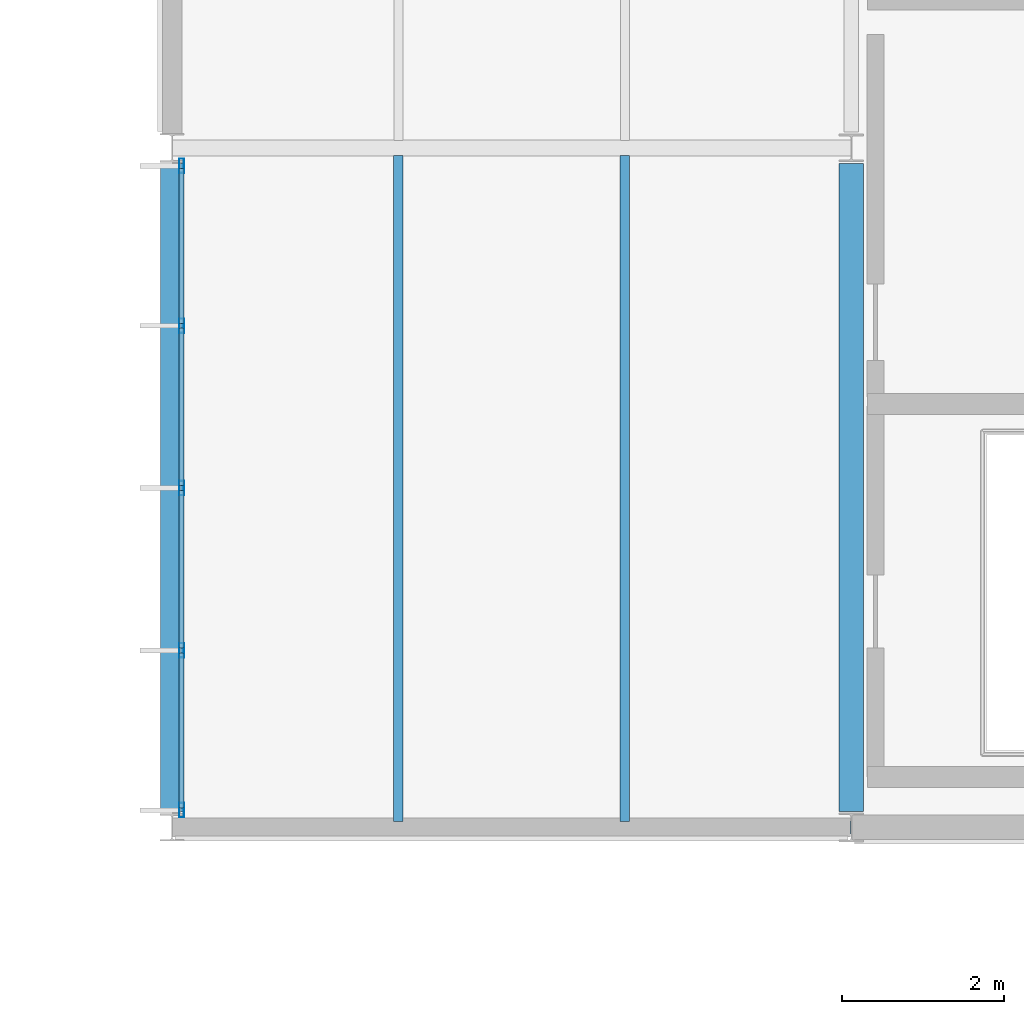
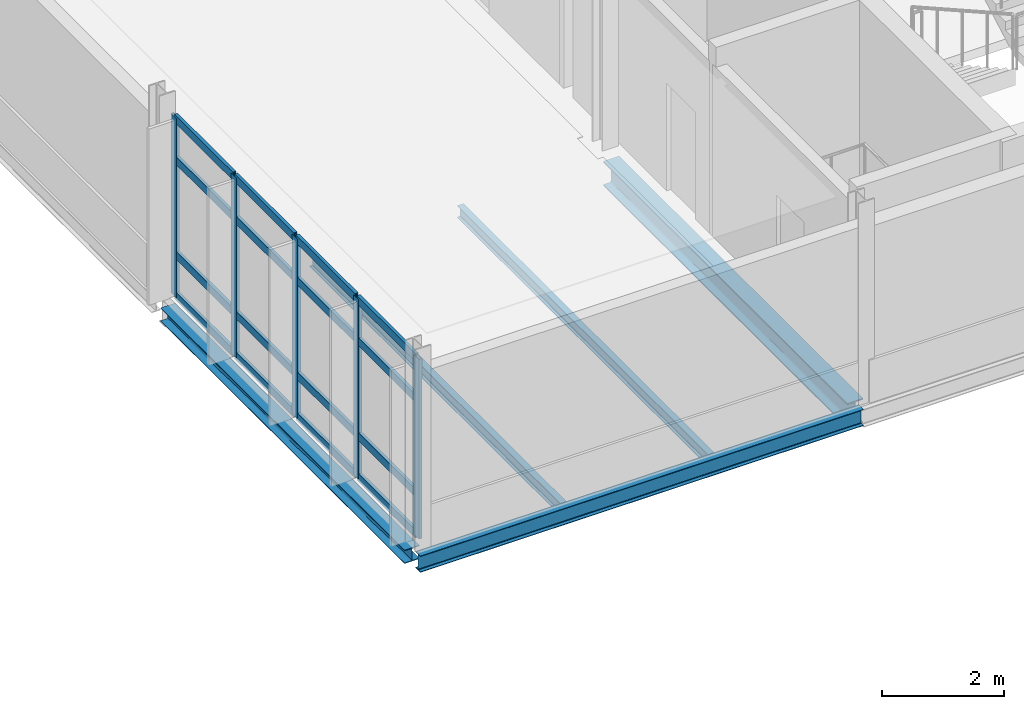
# One storey, part 60 of 103: 21 members, 5 beams, 1 element without a shape of its own.
"""IFC4 building model written with IfcOpenShell, lengths in metres."""

import ifcopenshell
import ifcopenshell.guid

model = None  # the IFC model being written
_history = None  # IfcOwnerHistory: only IFC2X3 demands one
_inside = {}  # id of a spatial element -> (the spatial element, [elements in it])
_under = {}  # id of a project, library or spatial element -> (it, [spatial elements below it])
_declared = {}  # id of a project -> (the project, [libraries it declares])
_typed = {}  # id of a type object -> (the type object, [elements of that type])
_made_of = {}  # id of a material, layer set ... -> (it, [elements and type objects made of it])


def new_model(schema):
    """Start an empty IFC model of exactly this schema.

    Asked for "IFC4X3", IfcOpenShell would pick the latest addendum, in which some entities
    have other attributes; the version numbers below select the first issue.
    IFC2X3 requires an IfcOwnerHistory on every rooted entity: one is made here for all.
    """
    global model, _history
    if schema == "IFC4X3":
        model = ifcopenshell.file(schema_version=(4, 3, 0, 0))
    else:
        model = ifcopenshell.file(schema=schema)
    _inside.clear()
    _under.clear()
    _declared.clear()
    _typed.clear()
    _made_of.clear()
    _history = None
    if model.schema == "IFC2X3":
        org = make("IfcOrganization", Name="unknown")
        user = make(
            "IfcPersonAndOrganization",
            ThePerson=make("IfcPerson", FamilyName="unknown"),
            TheOrganization=org,
        )
        app = make(
            "IfcApplication",
            ApplicationDeveloper=org,
            Version="unknown",
            ApplicationFullName="unknown",
            ApplicationIdentifier="unknown",
        )
        _history = make(
            "IfcOwnerHistory",
            OwningUser=user,
            OwningApplication=app,
            ChangeAction="ADDED",
            CreationDate=0,
        )
    return model


def make(cls, **values):
    """One entity of the class cls with the attributes given. An attribute that is None is left unset."""
    return model.create_entity(
        cls, **{name: value for name, value in values.items() if value is not None}
    )


def rooted(cls, **values):
    """An entity with a GlobalId (a new one), such as an element, a storey or a relation."""
    return make(cls, GlobalId=ifcopenshell.guid.new(), OwnerHistory=_history, **values)


def si_unit(unit_type, name, prefix=None):
    """IfcSIUnit, for example si_unit("LENGTHUNIT", "METRE", prefix="MILLI")."""
    return make("IfcSIUnit", UnitType=unit_type, Prefix=prefix, Name=name)


def assignment(units):
    """IfcUnitAssignment: the units of a project."""
    return None if units is None else make("IfcUnitAssignment", Units=units)


def point(xyz):
    """IfcCartesianPoint."""
    return None if xyz is None else make("IfcCartesianPoint", Coordinates=xyz)


def direction(xyz):
    """IfcDirection."""
    return None if xyz is None else make("IfcDirection", DirectionRatios=xyz)


def frame(location, z_axis=None, x_axis=None):
    """IfcAxis2Placement3D, a coordinate frame: its origin and axes. An axis left out is left unset."""
    return make(
        "IfcAxis2Placement3D",
        Location=point(location),
        Axis=direction(z_axis),
        RefDirection=direction(x_axis),
    )


def frame_2d(location, x_axis=None):
    """IfcAxis2Placement2D, a coordinate frame in the plane: its origin and x axis."""
    return make(
        "IfcAxis2Placement2D", Location=point(location), RefDirection=direction(x_axis)
    )


def origin():
    """The frame at (0, 0, 0) with its axes left unset."""
    return frame((0.0, 0.0, 0.0))


def origin_2d():
    """The frame at (0, 0) in the plane with its x axis left unset."""
    return frame_2d((0.0, 0.0))


def place(relative_to, where):
    """IfcLocalPlacement: puts the frame where relative to a parent placement (None: the world)."""
    return make(
        "IfcLocalPlacement", PlacementRelTo=relative_to, RelativePlacement=where
    )


def context(
    kind, dimensions, precision=None, world=None, true_north=None, identifier=None
):
    """IfcGeometricRepresentationContext, for example the 3D "Model" context."""
    return make(
        "IfcGeometricRepresentationContext",
        ContextIdentifier=identifier,
        ContextType=kind,
        CoordinateSpaceDimension=dimensions,
        Precision=precision,
        WorldCoordinateSystem=world,
        TrueNorth=true_north,
    )


def subcontext(parent, identifier, kind, view, scale=None):
    """IfcGeometricRepresentationSubContext, for example "Body" below "Model"."""
    return make(
        "IfcGeometricRepresentationSubContext",
        ContextIdentifier=identifier,
        ContextType=kind,
        ParentContext=parent,
        TargetScale=scale,
        TargetView=view,
    )


def project(units=None, contexts=None):
    """IfcProject with its units and contexts."""
    return rooted(
        "IfcProject",
        Name="project",
        RepresentationContexts=contexts,
        UnitsInContext=assignment(units),
    )


def spatial(cls, under=None, at=None, **own):
    """A site, building, storey or space (cls), placed at a placement, below another one or the project."""
    s = rooted(cls, ObjectPlacement=at, **own)
    if under is not None:
        _under.setdefault(under.id(), (under, []))[1].append(s)
    return s


def profile(cls, at=None, kind="AREA", **sizes):
    """A parametric profile (cls). Its sizes go by their IFC names, for example OverallWidth=200.0."""
    return make(cls, ProfileType=kind, Position=at, **sizes)


def hollow_rectangle(**sizes):
    """IfcRectangleHollowProfileDef."""
    return profile("IfcRectangleHollowProfileDef", **sizes)


def i_section(**sizes):
    """IfcIShapeProfileDef."""
    return profile("IfcIShapeProfileDef", **sizes)


def extrude(swept, where, along, depth):
    """IfcExtrudedAreaSolid: the profile swept, set in the frame where, extruded along a direction by depth."""
    return make(
        "IfcExtrudedAreaSolid",
        SweptArea=swept,
        Position=where,
        ExtrudedDirection=direction(along),
        Depth=depth,
    )


def shape(context_of_items, identifier, shape_type, items):
    """IfcShapeRepresentation: the items that make up one representation, for example the "Body"."""
    return make(
        "IfcShapeRepresentation",
        ContextOfItems=context_of_items,
        RepresentationIdentifier=identifier,
        RepresentationType=shape_type,
        Items=items,
    )


def material(Name=None, Category=None):
    """IfcMaterial."""
    return make("IfcMaterial", Name=Name, Category=Category)


def material_profile(
    of_material, cross_section, Name=None, Category=None, Priority=None
):
    """IfcMaterialProfile: a cross section and its material."""
    return make(
        "IfcMaterialProfile",
        Name=Name,
        Material=of_material,
        Profile=cross_section,
        Priority=Priority,
        Category=Category,
    )


def profile_set(profiles, Name=None, composite=None):
    """IfcMaterialProfileSet."""
    return make(
        "IfcMaterialProfileSet",
        Name=Name,
        MaterialProfiles=profiles,
        CompositeProfile=composite,
    )


def made_of(thing, what):
    """Note that an element or type object is made of a material, layer set ...; save() writes the relation."""
    if what is not None:
        _made_of.setdefault(what.id(), (what, []))[1].append(thing)
    return thing


def type_object(cls, material=None, **own):
    """A type object (cls), such as IfcWallType, which elements share."""
    return made_of(rooted(cls, **own), material)


def element(
    cls,
    number,
    at=None,
    inside=None,
    cuts=None,
    type_object=None,
    material=None,
    context=None,
    identifier="Body",
    shape_type=None,
    held_by="IfcProductDefinitionShape",
    body=None,
    shapes=None,
    **own,
):
    """One element of the class cls, such as IfcWall. Its Tag is "e" and its number.

    at: its placement. inside: the storey or other place that contains it. cuts: it is an
    opening in that element (IfcRelVoidsElement). A single representation is given by context,
    identifier, shape_type and body (its items); several are given by shapes. held_by: the class
    of the entity that holds the representations. save() writes the other relations.
    """
    e = rooted(cls, Tag="e%d" % number, ObjectPlacement=at, **own)
    if body is not None:
        shapes = [shape(context, identifier, shape_type, body)]
    if shapes is not None:
        e.Representation = make(held_by, Representations=shapes)
    if inside is not None:
        _inside.setdefault(inside.id(), (inside, []))[1].append(e)
    if cuts is not None:
        rooted(
            "IfcRelVoidsElement", RelatingBuildingElement=cuts, RelatedOpeningElement=e
        )
    if type_object is not None:
        _typed.setdefault(type_object.id(), (type_object, []))[1].append(e)
    return made_of(e, material)


def aggregate(whole, parts):
    """IfcRelAggregates: a whole, such as a stair, and the parts it consists of."""
    return rooted("IfcRelAggregates", RelatingObject=whole, RelatedObjects=parts)


def save(model, path):
    """Write the relations noted so far, then the file.

    IfcRelAggregates (storeys below a building ...), IfcRelContainedInSpatialStructure (elements
    in a storey), IfcRelDefinesByType, IfcRelAssociatesMaterial and IfcRelDeclares: one each for
    every whole, place, type object, material and project.
    """
    for whole, parts in _under.values():
        aggregate(whole, parts)
    for where, things in _inside.values():
        rooted(
            "IfcRelContainedInSpatialStructure",
            RelatedElements=things,
            RelatingStructure=where,
        )
    for kind, things in _typed.values():
        rooted("IfcRelDefinesByType", RelatedObjects=things, RelatingType=kind)
    for what, things in _made_of.values():
        rooted("IfcRelAssociatesMaterial", RelatedObjects=things, RelatingMaterial=what)
    for by, libraries in _declared.values():
        rooted("IfcRelDeclares", RelatingContext=by, RelatedDefinitions=libraries)
    model.write(path)


model = new_model("IFC4")

# Units and contexts
model_context = context("Model", 3, precision=1e-05, world=origin(), true_north=direction((0.0, 1.0)))
body_context = subcontext(model_context, "Body", "Model", "MODEL_VIEW")
ifc_project = project(units=[si_unit("LENGTHUNIT", "METRE"), si_unit("AREAUNIT", "SQUARE_METRE"), si_unit("VOLUMEUNIT", "CUBIC_METRE"), si_unit("PLANEANGLEUNIT", "RADIAN"), si_unit("MASSUNIT", "GRAM", prefix="KILO")], contexts=[model_context])

# Site, building, storey
site_placement = place(None, origin())
site = spatial("IfcSite", under=ifc_project, at=site_placement, CompositionType="ELEMENT")
building_placement = place(site_placement, origin())
building = spatial("IfcBuilding", under=site, at=building_placement, Name="Mersafa Astral City Hall", CompositionType="ELEMENT")
storey_placement = place(building_placement, frame((0.0, 0.0, 18.0)))
storey = spatial("IfcBuildingStorey", under=building, at=storey_placement, Name="L04", CompositionType="ELEMENT", Elevation=18.0)

# Curtain wall, members
ifc_material_1 = material(Name="Anodised bronze aluminium framing", Category="aluminium")
curtain_wall_type = type_object("IfcCurtainWallType", Name="ENV-CW-5", PredefinedType="USERDEFINED", material=ifc_material_1)
curtain_wall_placement = place(storey_placement, origin())
curtain_wall = element("IfcCurtainWall", 1, at=curtain_wall_placement, inside=storey, type_object=curtain_wall_type, Name="L04 Unitised solar curtain wall 190", ObjectType="UNITISED CURTAIN WALL", PredefinedType="USERDEFINED")
ifc_material_profile_1 = material_profile(ifc_material_1, hollow_rectangle(XDim=0.06005859375, YDim=0.179931640625, WallThickness=0.00390625, at=origin_2d()), Name="RHS 60x180x4")
ifc_profile_set_1 = profile_set([ifc_material_profile_1], Name="Anodised bronze aluminium framing")
member_type_1 = type_object("IfcMemberType", Name="ENV-CW-MUL-1", PredefinedType="MULLION", material=ifc_profile_set_1)
member_1_placement = place(storey_placement, frame((159.719970703125, 58.577880859375, -0.001953125), z_axis=(0.0, 0.0, 1.0), x_axis=(1.0, 0.0, 0.0)))
member_1 = element("IfcMember", 2, at=member_1_placement, type_object=member_type_1, Name="CW-5 mullion 1", PredefinedType="MULLION", context=body_context, shape_type="SweptSolid", body=[
    extrude(hollow_rectangle(XDim=0.06005859375, YDim=0.179931640625, WallThickness=0.00390625, at=origin_2d()), origin(), (0.0, 0.0, 1.0), 3.598876953125),
])
member_2_placement = place(storey_placement, frame((159.719970703125, 56.6015625, -0.001953125), z_axis=(0.0, 0.0, 1.0), x_axis=(1.0, 0.0, 0.0)))
member_2 = element("IfcMember", 3, at=member_2_placement, type_object=member_type_1, Name="CW-5 mullion 2", PredefinedType="MULLION", context=body_context, shape_type="SweptSolid", body=[
    extrude(hollow_rectangle(XDim=0.06005859375, YDim=0.179931640625, WallThickness=0.00390625, at=origin_2d()), origin(), (0.0, 0.0, 1.0), 3.598876953125),
])
member_3_placement = place(storey_placement, frame((159.719970703125, 54.594970703125, -0.001953125), z_axis=(0.0, 0.0, 1.0), x_axis=(1.0, 0.0, 0.0)))
member_3 = element("IfcMember", 4, at=member_3_placement, type_object=member_type_1, Name="CW-5 mullion 3", PredefinedType="MULLION", context=body_context, shape_type="SweptSolid", body=[
    extrude(hollow_rectangle(XDim=0.06005859375, YDim=0.179931640625, WallThickness=0.00390625, at=origin_2d()), origin(), (0.0, 0.0, 1.0), 3.598876953125),
])
member_4_placement = place(storey_placement, frame((159.719970703125, 52.58837890625, -0.001953125), z_axis=(0.0, 0.0, 1.0), x_axis=(1.0, 0.0, 0.0)))
member_4 = element("IfcMember", 5, at=member_4_placement, type_object=member_type_1, Name="CW-5 mullion 4", PredefinedType="MULLION", context=body_context, shape_type="SweptSolid", body=[
    extrude(hollow_rectangle(XDim=0.06005859375, YDim=0.179931640625, WallThickness=0.00390625, at=origin_2d()), origin(), (0.0, 0.0, 1.0), 3.598876953125),
])
member_5_placement = place(storey_placement, frame((159.719970703125, 50.612060546875, -0.001953125), z_axis=(0.0, 0.0, 1.0), x_axis=(1.0, 0.0, 0.0)))
member_5 = element("IfcMember", 6, at=member_5_placement, type_object=member_type_1, Name="CW-5 mullion 5", PredefinedType="MULLION", context=body_context, shape_type="SweptSolid", body=[
    extrude(hollow_rectangle(XDim=0.06005859375, YDim=0.179931640625, WallThickness=0.00390625, at=origin_2d()), origin(), (0.0, 0.0, 1.0), 3.598876953125),
])
ifc_material_profile_2 = material_profile(ifc_material_1, hollow_rectangle(XDim=0.06005859375, YDim=0.159912109375, WallThickness=0.00390625, at=origin_2d()), Name="RHS 60x160x4")
ifc_profile_set_2 = profile_set([ifc_material_profile_2], Name="Anodised bronze aluminium framing")
member_type_2 = type_object("IfcMemberType", Name="ENV-CW-TRN-2", PredefinedType="USERDEFINED", material=ifc_profile_set_2)
member_6_placement = place(storey_placement, frame((159.719970703125, 58.548095703125, 0.028076171875), z_axis=(0.0, -1.0, 0.0), x_axis=(1.0, 0.0, 0.0)))
member_6 = element("IfcMember", 7, at=member_6_placement, type_object=member_type_2, Name="CW-5 transom 1.1", ObjectType="TRANSOM", PredefinedType="USERDEFINED", context=body_context, shape_type="SweptSolid", body=[
    extrude(hollow_rectangle(XDim=0.06005859375, YDim=0.159912109375, WallThickness=0.00390625, at=origin_2d()), origin(), (0.0, 0.0, 1.0), 1.91650390625),
])
member_7_placement = place(storey_placement, frame((159.719970703125, 58.548095703125, 0.85009765625), z_axis=(0.0, -1.0, 0.0), x_axis=(1.0, 0.0, 0.0)))
member_7 = element("IfcMember", 8, at=member_7_placement, type_object=member_type_2, Name="CW-5 transom 1.2", ObjectType="TRANSOM", PredefinedType="USERDEFINED", context=body_context, shape_type="SweptSolid", body=[
    extrude(hollow_rectangle(XDim=0.06005859375, YDim=0.159912109375, WallThickness=0.00390625, at=origin_2d()), origin(), (0.0, 0.0, 1.0), 1.91650390625),
])
member_8_placement = place(storey_placement, frame((159.719970703125, 58.548095703125, 2.75), z_axis=(0.0, -1.0, 0.0), x_axis=(1.0, 0.0, 0.0)))
member_8 = element("IfcMember", 9, at=member_8_placement, type_object=member_type_2, Name="CW-5 transom 1.3", ObjectType="TRANSOM", PredefinedType="USERDEFINED", context=body_context, shape_type="SweptSolid", body=[
    extrude(hollow_rectangle(XDim=0.06005859375, YDim=0.159912109375, WallThickness=0.00390625, at=origin_2d()), origin(), (0.0, 0.0, 1.0), 1.91650390625),
])
member_9_placement = place(storey_placement, frame((159.719970703125, 58.548095703125, 3.56689453125), z_axis=(0.0, -1.0, 0.0), x_axis=(1.0, 0.0, 0.0)))
member_9 = element("IfcMember", 10, at=member_9_placement, type_object=member_type_2, Name="CW-5 transom 1.4", ObjectType="TRANSOM", PredefinedType="USERDEFINED", context=body_context, shape_type="SweptSolid", body=[
    extrude(hollow_rectangle(XDim=0.06005859375, YDim=0.159912109375, WallThickness=0.00390625, at=origin_2d()), origin(), (0.0, 0.0, 1.0), 1.91650390625),
])
member_10_placement = place(storey_placement, frame((159.719970703125, 56.571533203125, 0.028076171875), z_axis=(0.0, -1.0, 0.0), x_axis=(1.0, 0.0, 0.0)))
member_10 = element("IfcMember", 11, at=member_10_placement, type_object=member_type_2, Name="CW-5 transom 2.1", ObjectType="TRANSOM", PredefinedType="USERDEFINED", context=body_context, shape_type="SweptSolid", body=[
    extrude(hollow_rectangle(XDim=0.06005859375, YDim=0.159912109375, WallThickness=0.00390625, at=origin_2d()), origin(), (0.0, 0.0, 1.0), 1.946533203125),
])
member_11_placement = place(storey_placement, frame((159.719970703125, 56.571533203125, 0.85009765625), z_axis=(0.0, -1.0, 0.0), x_axis=(1.0, 0.0, 0.0)))
member_11 = element("IfcMember", 12, at=member_11_placement, type_object=member_type_2, Name="CW-5 transom 2.2", ObjectType="TRANSOM", PredefinedType="USERDEFINED", context=body_context, shape_type="SweptSolid", body=[
    extrude(hollow_rectangle(XDim=0.06005859375, YDim=0.159912109375, WallThickness=0.00390625, at=origin_2d()), origin(), (0.0, 0.0, 1.0), 1.946533203125),
])
member_12_placement = place(storey_placement, frame((159.719970703125, 56.571533203125, 2.75), z_axis=(0.0, -1.0, 0.0), x_axis=(1.0, 0.0, 0.0)))
member_12 = element("IfcMember", 13, at=member_12_placement, type_object=member_type_2, Name="CW-5 transom 2.3", ObjectType="TRANSOM", PredefinedType="USERDEFINED", context=body_context, shape_type="SweptSolid", body=[
    extrude(hollow_rectangle(XDim=0.06005859375, YDim=0.159912109375, WallThickness=0.00390625, at=origin_2d()), origin(), (0.0, 0.0, 1.0), 1.946533203125),
])
member_13_placement = place(storey_placement, frame((159.719970703125, 56.571533203125, 3.56689453125), z_axis=(0.0, -1.0, 0.0), x_axis=(1.0, 0.0, 0.0)))
member_13 = element("IfcMember", 14, at=member_13_placement, type_object=member_type_2, Name="CW-5 transom 2.4", ObjectType="TRANSOM", PredefinedType="USERDEFINED", context=body_context, shape_type="SweptSolid", body=[
    extrude(hollow_rectangle(XDim=0.06005859375, YDim=0.159912109375, WallThickness=0.00390625, at=origin_2d()), origin(), (0.0, 0.0, 1.0), 1.946533203125),
])
member_14_placement = place(storey_placement, frame((159.719970703125, 54.56494140625, 0.028076171875), z_axis=(0.0, -1.0, 0.0), x_axis=(1.0, 0.0, 0.0)))
member_14 = element("IfcMember", 15, at=member_14_placement, type_object=member_type_2, Name="CW-5 transom 3.1", ObjectType="TRANSOM", PredefinedType="USERDEFINED", context=body_context, shape_type="SweptSolid", body=[
    extrude(hollow_rectangle(XDim=0.06005859375, YDim=0.159912109375, WallThickness=0.00390625, at=origin_2d()), origin(), (0.0, 0.0, 1.0), 1.946533203125),
])
member_15_placement = place(storey_placement, frame((159.719970703125, 54.56494140625, 0.85009765625), z_axis=(0.0, -1.0, 0.0), x_axis=(1.0, 0.0, 0.0)))
member_15 = element("IfcMember", 16, at=member_15_placement, type_object=member_type_2, Name="CW-5 transom 3.2", ObjectType="TRANSOM", PredefinedType="USERDEFINED", context=body_context, shape_type="SweptSolid", body=[
    extrude(hollow_rectangle(XDim=0.06005859375, YDim=0.159912109375, WallThickness=0.00390625, at=origin_2d()), origin(), (0.0, 0.0, 1.0), 1.946533203125),
])
member_16_placement = place(storey_placement, frame((159.719970703125, 54.56494140625, 2.75), z_axis=(0.0, -1.0, 0.0), x_axis=(1.0, 0.0, 0.0)))
member_16 = element("IfcMember", 17, at=member_16_placement, type_object=member_type_2, Name="CW-5 transom 3.3", ObjectType="TRANSOM", PredefinedType="USERDEFINED", context=body_context, shape_type="SweptSolid", body=[
    extrude(hollow_rectangle(XDim=0.06005859375, YDim=0.159912109375, WallThickness=0.00390625, at=origin_2d()), origin(), (0.0, 0.0, 1.0), 1.946533203125),
])
member_17_placement = place(storey_placement, frame((159.719970703125, 54.56494140625, 3.56689453125), z_axis=(0.0, -1.0, 0.0), x_axis=(1.0, 0.0, 0.0)))
member_17 = element("IfcMember", 18, at=member_17_placement, type_object=member_type_2, Name="CW-5 transom 3.4", ObjectType="TRANSOM", PredefinedType="USERDEFINED", context=body_context, shape_type="SweptSolid", body=[
    extrude(hollow_rectangle(XDim=0.06005859375, YDim=0.159912109375, WallThickness=0.00390625, at=origin_2d()), origin(), (0.0, 0.0, 1.0), 1.946533203125),
])
member_18_placement = place(storey_placement, frame((159.719970703125, 52.55859375, 0.028076171875), z_axis=(0.0, -1.0, 0.0), x_axis=(1.0, 0.0, 0.0)))
member_18 = element("IfcMember", 19, at=member_18_placement, type_object=member_type_2, Name="CW-5 transom 4.1", ObjectType="TRANSOM", PredefinedType="USERDEFINED", context=body_context, shape_type="SweptSolid", body=[
    extrude(hollow_rectangle(XDim=0.06005859375, YDim=0.159912109375, WallThickness=0.00390625, at=origin_2d()), origin(), (0.0, 0.0, 1.0), 1.91650390625),
])
member_19_placement = place(storey_placement, frame((159.719970703125, 52.55859375, 0.85009765625), z_axis=(0.0, -1.0, 0.0), x_axis=(1.0, 0.0, 0.0)))
member_19 = element("IfcMember", 20, at=member_19_placement, type_object=member_type_2, Name="CW-5 transom 4.2", ObjectType="TRANSOM", PredefinedType="USERDEFINED", context=body_context, shape_type="SweptSolid", body=[
    extrude(hollow_rectangle(XDim=0.06005859375, YDim=0.159912109375, WallThickness=0.00390625, at=origin_2d()), origin(), (0.0, 0.0, 1.0), 1.91650390625),
])
member_20_placement = place(storey_placement, frame((159.719970703125, 52.55859375, 2.75), z_axis=(0.0, -1.0, 0.0), x_axis=(1.0, 0.0, 0.0)))
member_20 = element("IfcMember", 21, at=member_20_placement, type_object=member_type_2, Name="CW-5 transom 4.3", ObjectType="TRANSOM", PredefinedType="USERDEFINED", context=body_context, shape_type="SweptSolid", body=[
    extrude(hollow_rectangle(XDim=0.06005859375, YDim=0.159912109375, WallThickness=0.00390625, at=origin_2d()), origin(), (0.0, 0.0, 1.0), 1.91650390625),
])
member_21_placement = place(storey_placement, frame((159.719970703125, 52.55859375, 3.56689453125), z_axis=(0.0, -1.0, 0.0), x_axis=(1.0, 0.0, 0.0)))
member_21 = element("IfcMember", 22, at=member_21_placement, type_object=member_type_2, Name="CW-5 transom 4.4", ObjectType="TRANSOM", PredefinedType="USERDEFINED", context=body_context, shape_type="SweptSolid", body=[
    extrude(hollow_rectangle(XDim=0.06005859375, YDim=0.159912109375, WallThickness=0.00390625, at=origin_2d()), origin(), (0.0, 0.0, 1.0), 1.91650390625),
])
aggregate(curtain_wall, [member_1, member_2, member_3, member_4, member_5, member_6, member_7, member_8, member_9, member_10, member_11, member_12, member_13, member_14, member_15, member_16, member_17, member_18, member_19, member_20, member_21])

# Beams
ifc_material_2 = material(Name="Steel S355", Category="steel")
ifc_material_profile_3 = material_profile(ifc_material_2, i_section(OverallWidth=0.300048828125, OverallDepth=0.489990234375, WebThickness=0.011962890625, FlangeThickness=0.02294921875, FilletRadius=0.027099609375, at=origin_2d()), Name="HEA 500")
ifc_profile_set_3 = profile_set([ifc_material_profile_3], Name="Steel S355")
beam_type_1 = type_object("IfcBeamType", Name="STR-BM-HEA500", PredefinedType="BEAM", material=ifc_profile_set_3)
beam_1_placement = place(storey_placement, frame((168.0, 50.594970703125, -0.429931640625), z_axis=(0.0, 1.0, 0.0), x_axis=(-1.0, 0.0, 0.0)))
element("IfcBeam", 23, at=beam_1_placement, inside=storey, type_object=beam_type_1, Name="L04 Primary girder Y 20-6", PredefinedType="BEAM", context=body_context, shape_type="SweptSolid", body=[
    extrude(i_section(OverallWidth=0.300048828125, OverallDepth=0.489990234375, WebThickness=0.011962890625, FlangeThickness=0.02294921875, FilletRadius=0.027099609375, at=origin_2d()), origin(), (0.0, 0.0, 1.0), 8.010009765625),
])
ifc_material_profile_4 = material_profile(ifc_material_2, i_section(OverallWidth=0.1201171875, OverallDepth=0.239990234375, WebThickness=0.006103515625, FlangeThickness=0.009765625, FilletRadius=0.014892578125, at=origin_2d()), Name="IPE 240")
ifc_profile_set_4 = profile_set([ifc_material_profile_4], Name="Steel S355")
beam_type_2 = type_object("IfcBeamType", Name="STR-BM-JOIST-IPE240", PredefinedType="JOIST", material=ifc_profile_set_4)
for number, where, z_axis, x_axis, name in (
    (24, (162.39990234375, 50.47509765625, -0.304931640625), (0.0, 1.0, 0.0), (-1.0, 0.0, 0.0), "L04 Composite secondary floor joist 760"),
    (25, (165.199951171875, 50.47509765625, -0.304931640625), (0.0, 1.0, 0.0), (-1.0, 0.0, 0.0), "L04 Composite secondary floor joist 761"),
):
    element("IfcBeam", number, at=place(storey_placement, frame(where, z_axis=z_axis, x_axis=x_axis)), inside=storey, type_object=beam_type_2, Name=name, PredefinedType="JOIST", context=body_context, shape_type="SweptSolid", body=[
        extrude(i_section(OverallWidth=0.1201171875, OverallDepth=0.239990234375, WebThickness=0.006103515625, FlangeThickness=0.009765625, FilletRadius=0.014892578125, at=origin_2d()), origin(), (0.0, 0.0, 1.0), 8.22998046875),
    ])
ifc_material_profile_5 = material_profile(ifc_material_2, i_section(OverallWidth=0.280029296875, OverallDepth=0.27001953125, WebThickness=0.008056640625, FlangeThickness=0.012939453125, FilletRadius=0.02392578125, at=origin_2d()), Name="HEA 280")
ifc_profile_set_5 = profile_set([ifc_material_profile_5], Name="Steel S355")
beam_type_3 = type_object("IfcBeamType", Name="STR-BM-SPANDREL-HEA280", PredefinedType="SPANDREL", material=ifc_profile_set_5)
beam_2_placement = place(storey_placement, frame((159.60009765625, 50.594970703125, -0.320068359375), z_axis=(0.0, 1.0, 0.0), x_axis=(-1.0, 0.0, 0.0)))
element("IfcBeam", 26, at=beam_2_placement, inside=storey, type_object=beam_type_3, Name="L04 Primary girder Y 19-6", PredefinedType="SPANDREL", context=body_context, shape_type="SweptSolid", body=[
    extrude(i_section(OverallWidth=0.280029296875, OverallDepth=0.27001953125, WebThickness=0.008056640625, FlangeThickness=0.012939453125, FilletRadius=0.02392578125, at=origin_2d()), origin(), (0.0, 0.0, 1.0), 8.010009765625),
])
ifc_material_profile_6 = material_profile(ifc_material_2, i_section(OverallWidth=0.159912109375, OverallDepth=0.330078125, WebThickness=0.007568359375, FlangeThickness=0.011474609375, FilletRadius=0.01806640625, at=origin_2d()), Name="IPE 330")
ifc_profile_set_6 = profile_set([ifc_material_profile_6], Name="Steel S355")
beam_type_4 = type_object("IfcBeamType", Name="STR-BM-SPANDREL-IPE330", PredefinedType="SPANDREL", material=ifc_profile_set_6)
beam_3_placement = place(storey_placement, frame((159.60302734375, 50.39990234375, -0.35009765625), z_axis=(1.0, 0.0, 0.0), x_axis=(0.0, 1.0, 0.0)))
element("IfcBeam", 27, at=beam_3_placement, inside=storey, type_object=beam_type_4, Name="L04 Primary girder X 19-6", PredefinedType="SPANDREL", context=body_context, shape_type="SweptSolid", body=[
    extrude(i_section(OverallWidth=0.159912109375, OverallDepth=0.330078125, WebThickness=0.007568359375, FlangeThickness=0.011474609375, FilletRadius=0.01806640625, at=origin_2d()), origin(), (0.0, 0.0, 1.0), 8.39404296875),
])

save(model, "model.ifc")
